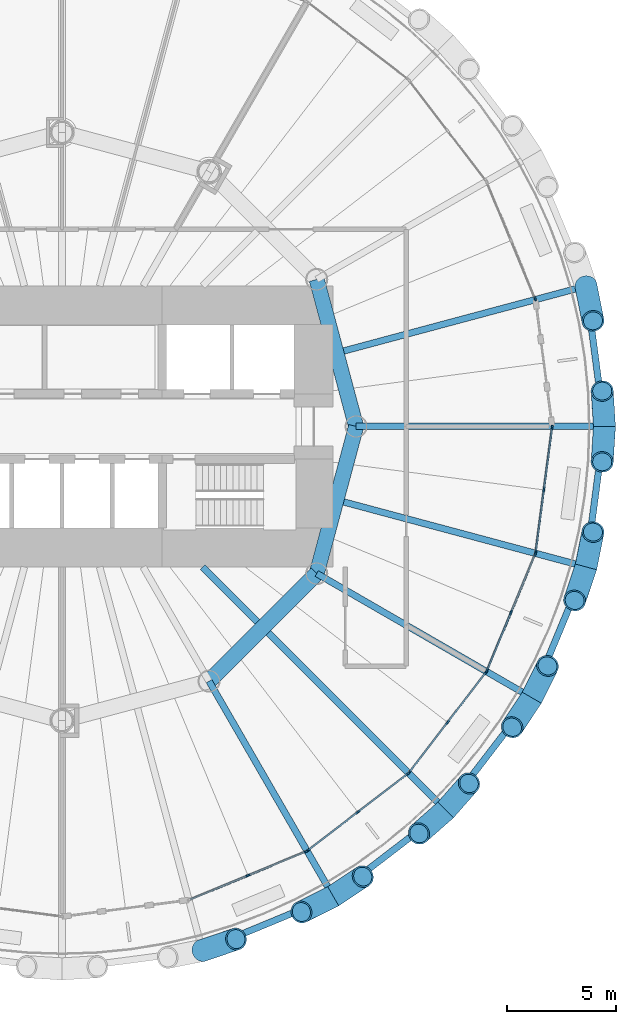
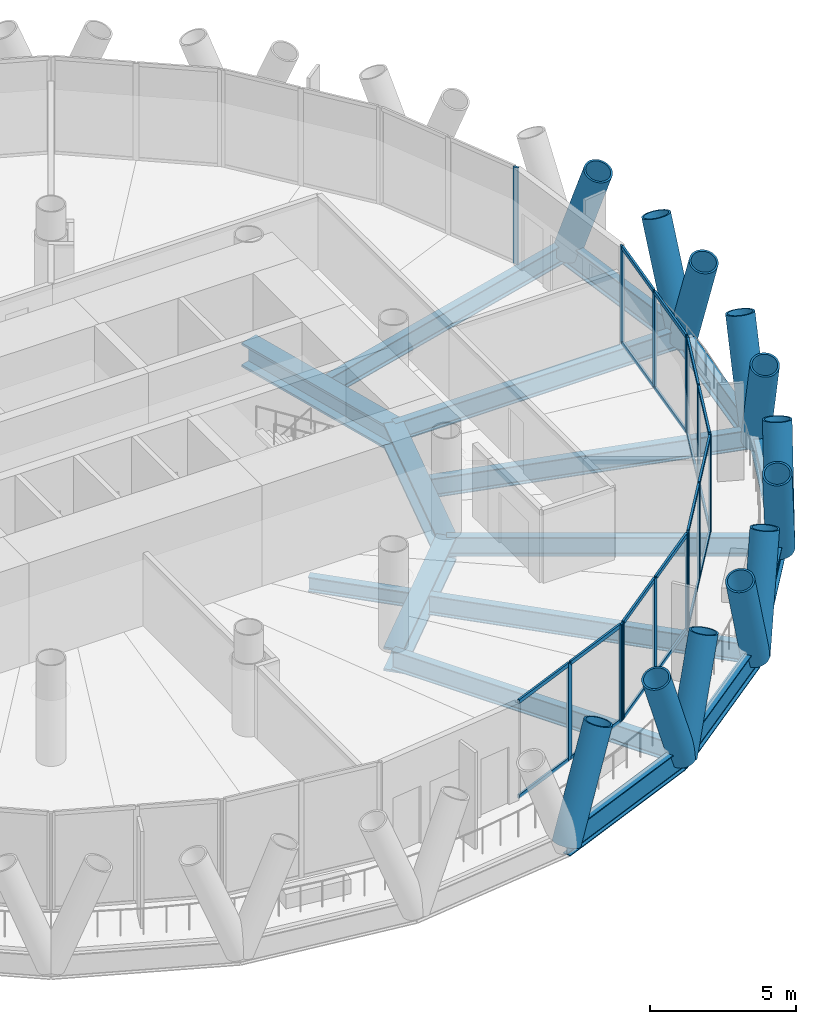
# One storey, part 4 of 15: 47 members, 16 beams, 6 elements without a shape of their own.
"""IFC4 building model written with IfcOpenShell, lengths in metres."""

import ifcopenshell
import ifcopenshell.guid

model = None  # the IFC model being written
_history = None  # IfcOwnerHistory: only IFC2X3 demands one
_inside = {}  # id of a spatial element -> (the spatial element, [elements in it])
_under = {}  # id of a project, library or spatial element -> (it, [spatial elements below it])
_declared = {}  # id of a project -> (the project, [libraries it declares])
_typed = {}  # id of a type object -> (the type object, [elements of that type])
_made_of = {}  # id of a material, layer set ... -> (it, [elements and type objects made of it])


def new_model(schema):
    """Start an empty IFC model of exactly this schema.

    Asked for "IFC4X3", IfcOpenShell would pick the latest addendum, in which some entities
    have other attributes; the version numbers below select the first issue.
    IFC2X3 requires an IfcOwnerHistory on every rooted entity: one is made here for all.
    """
    global model, _history
    if schema == "IFC4X3":
        model = ifcopenshell.file(schema_version=(4, 3, 0, 0))
    else:
        model = ifcopenshell.file(schema=schema)
    _inside.clear()
    _under.clear()
    _declared.clear()
    _typed.clear()
    _made_of.clear()
    _history = None
    if model.schema == "IFC2X3":
        org = make("IfcOrganization", Name="unknown")
        user = make(
            "IfcPersonAndOrganization",
            ThePerson=make("IfcPerson", FamilyName="unknown"),
            TheOrganization=org,
        )
        app = make(
            "IfcApplication",
            ApplicationDeveloper=org,
            Version="unknown",
            ApplicationFullName="unknown",
            ApplicationIdentifier="unknown",
        )
        _history = make(
            "IfcOwnerHistory",
            OwningUser=user,
            OwningApplication=app,
            ChangeAction="ADDED",
            CreationDate=0,
        )
    return model


def make(cls, **values):
    """One entity of the class cls with the attributes given. An attribute that is None is left unset."""
    return model.create_entity(
        cls, **{name: value for name, value in values.items() if value is not None}
    )


def rooted(cls, **values):
    """An entity with a GlobalId (a new one), such as an element, a storey or a relation."""
    return make(cls, GlobalId=ifcopenshell.guid.new(), OwnerHistory=_history, **values)


def si_unit(unit_type, name, prefix=None):
    """IfcSIUnit, for example si_unit("LENGTHUNIT", "METRE", prefix="MILLI")."""
    return make("IfcSIUnit", UnitType=unit_type, Prefix=prefix, Name=name)


def assignment(units):
    """IfcUnitAssignment: the units of a project."""
    return None if units is None else make("IfcUnitAssignment", Units=units)


def point(xyz):
    """IfcCartesianPoint."""
    return None if xyz is None else make("IfcCartesianPoint", Coordinates=xyz)


def direction(xyz):
    """IfcDirection."""
    return None if xyz is None else make("IfcDirection", DirectionRatios=xyz)


def frame(location, z_axis=None, x_axis=None):
    """IfcAxis2Placement3D, a coordinate frame: its origin and axes. An axis left out is left unset."""
    return make(
        "IfcAxis2Placement3D",
        Location=point(location),
        Axis=direction(z_axis),
        RefDirection=direction(x_axis),
    )


def frame_2d(location, x_axis=None):
    """IfcAxis2Placement2D, a coordinate frame in the plane: its origin and x axis."""
    return make(
        "IfcAxis2Placement2D", Location=point(location), RefDirection=direction(x_axis)
    )


def origin():
    """The frame at (0, 0, 0) with its axes left unset."""
    return frame((0.0, 0.0, 0.0))


def origin_2d():
    """The frame at (0, 0) in the plane with its x axis left unset."""
    return frame_2d((0.0, 0.0))


def place(relative_to, where):
    """IfcLocalPlacement: puts the frame where relative to a parent placement (None: the world)."""
    return make(
        "IfcLocalPlacement", PlacementRelTo=relative_to, RelativePlacement=where
    )


def context(
    kind, dimensions, precision=None, world=None, true_north=None, identifier=None
):
    """IfcGeometricRepresentationContext, for example the 3D "Model" context."""
    return make(
        "IfcGeometricRepresentationContext",
        ContextIdentifier=identifier,
        ContextType=kind,
        CoordinateSpaceDimension=dimensions,
        Precision=precision,
        WorldCoordinateSystem=world,
        TrueNorth=true_north,
    )


def subcontext(parent, identifier, kind, view, scale=None):
    """IfcGeometricRepresentationSubContext, for example "Body" below "Model"."""
    return make(
        "IfcGeometricRepresentationSubContext",
        ContextIdentifier=identifier,
        ContextType=kind,
        ParentContext=parent,
        TargetScale=scale,
        TargetView=view,
    )


def project(units=None, contexts=None):
    """IfcProject with its units and contexts."""
    return rooted(
        "IfcProject",
        Name="project",
        RepresentationContexts=contexts,
        UnitsInContext=assignment(units),
    )


def spatial(cls, under=None, at=None, **own):
    """A site, building, storey or space (cls), placed at a placement, below another one or the project."""
    s = rooted(cls, ObjectPlacement=at, **own)
    if under is not None:
        _under.setdefault(under.id(), (under, []))[1].append(s)
    return s


def profile(cls, at=None, kind="AREA", **sizes):
    """A parametric profile (cls). Its sizes go by their IFC names, for example OverallWidth=200.0."""
    return make(cls, ProfileType=kind, Position=at, **sizes)


def rectangle(**sizes):
    """IfcRectangleProfileDef."""
    return profile("IfcRectangleProfileDef", **sizes)


def hollow_circle(**sizes):
    """IfcCircleHollowProfileDef."""
    return profile("IfcCircleHollowProfileDef", **sizes)


def i_section(**sizes):
    """IfcIShapeProfileDef."""
    return profile("IfcIShapeProfileDef", **sizes)


def extrude(swept, where, along, depth):
    """IfcExtrudedAreaSolid: the profile swept, set in the frame where, extruded along a direction by depth."""
    return make(
        "IfcExtrudedAreaSolid",
        SweptArea=swept,
        Position=where,
        ExtrudedDirection=direction(along),
        Depth=depth,
    )


def shape(context_of_items, identifier, shape_type, items):
    """IfcShapeRepresentation: the items that make up one representation, for example the "Body"."""
    return make(
        "IfcShapeRepresentation",
        ContextOfItems=context_of_items,
        RepresentationIdentifier=identifier,
        RepresentationType=shape_type,
        Items=items,
    )


def material(Name=None, Category=None):
    """IfcMaterial."""
    return make("IfcMaterial", Name=Name, Category=Category)


def material_profile(
    of_material, cross_section, Name=None, Category=None, Priority=None
):
    """IfcMaterialProfile: a cross section and its material."""
    return make(
        "IfcMaterialProfile",
        Name=Name,
        Material=of_material,
        Profile=cross_section,
        Priority=Priority,
        Category=Category,
    )


def profile_set(profiles, Name=None, composite=None):
    """IfcMaterialProfileSet."""
    return make(
        "IfcMaterialProfileSet",
        Name=Name,
        MaterialProfiles=profiles,
        CompositeProfile=composite,
    )


def made_of(thing, what):
    """Note that an element or type object is made of a material, layer set ...; save() writes the relation."""
    if what is not None:
        _made_of.setdefault(what.id(), (what, []))[1].append(thing)
    return thing


def type_object(cls, material=None, **own):
    """A type object (cls), such as IfcWallType, which elements share."""
    return made_of(rooted(cls, **own), material)


def element(
    cls,
    number,
    at=None,
    inside=None,
    cuts=None,
    type_object=None,
    material=None,
    context=None,
    identifier="Body",
    shape_type=None,
    held_by="IfcProductDefinitionShape",
    body=None,
    shapes=None,
    **own,
):
    """One element of the class cls, such as IfcWall. Its Tag is "e" and its number.

    at: its placement. inside: the storey or other place that contains it. cuts: it is an
    opening in that element (IfcRelVoidsElement). A single representation is given by context,
    identifier, shape_type and body (its items); several are given by shapes. held_by: the class
    of the entity that holds the representations. save() writes the other relations.
    """
    e = rooted(cls, Tag="e%d" % number, ObjectPlacement=at, **own)
    if body is not None:
        shapes = [shape(context, identifier, shape_type, body)]
    if shapes is not None:
        e.Representation = make(held_by, Representations=shapes)
    if inside is not None:
        _inside.setdefault(inside.id(), (inside, []))[1].append(e)
    if cuts is not None:
        rooted(
            "IfcRelVoidsElement", RelatingBuildingElement=cuts, RelatedOpeningElement=e
        )
    if type_object is not None:
        _typed.setdefault(type_object.id(), (type_object, []))[1].append(e)
    return made_of(e, material)


def aggregate(whole, parts):
    """IfcRelAggregates: a whole, such as a stair, and the parts it consists of."""
    return rooted("IfcRelAggregates", RelatingObject=whole, RelatedObjects=parts)


def save(model, path):
    """Write the relations noted so far, then the file.

    IfcRelAggregates (storeys below a building ...), IfcRelContainedInSpatialStructure (elements
    in a storey), IfcRelDefinesByType, IfcRelAssociatesMaterial and IfcRelDeclares: one each for
    every whole, place, type object, material and project.
    """
    for whole, parts in _under.values():
        aggregate(whole, parts)
    for where, things in _inside.values():
        rooted(
            "IfcRelContainedInSpatialStructure",
            RelatedElements=things,
            RelatingStructure=where,
        )
    for kind, things in _typed.values():
        rooted("IfcRelDefinesByType", RelatedObjects=things, RelatingType=kind)
    for what, things in _made_of.values():
        rooted("IfcRelAssociatesMaterial", RelatedObjects=things, RelatingMaterial=what)
    for by, libraries in _declared.values():
        rooted("IfcRelDeclares", RelatingContext=by, RelatedDefinitions=libraries)
    model.write(path)


model = new_model("IFC4")

# Units and contexts
model_context = context("Model", 3, precision=1e-05, world=origin(), true_north=direction((0.0, 1.0)))
body_context = subcontext(model_context, "Body", "Model", "MODEL_VIEW")
ifc_project = project(units=[si_unit("LENGTHUNIT", "METRE"), si_unit("AREAUNIT", "SQUARE_METRE"), si_unit("VOLUMEUNIT", "CUBIC_METRE"), si_unit("PLANEANGLEUNIT", "RADIAN"), si_unit("MASSUNIT", "GRAM", prefix="KILO")], contexts=[model_context])

# Site, building, storey
site_placement = place(None, origin())
site = spatial("IfcSite", under=ifc_project, at=site_placement, CompositionType="ELEMENT")
building_placement = place(site_placement, origin())
building = spatial("IfcBuilding", under=site, at=building_placement, Name="Qaws Media Tower", CompositionType="ELEMENT")
storey_placement = place(building_placement, frame((0.0, 0.0, 143.60009765625)))
storey = spatial("IfcBuildingStorey", under=building, at=storey_placement, Name="L32", CompositionType="ELEMENT", Elevation=143.60009765625)

# Curtain wall, member
ifc_material_1 = material(Name="Aluminium and clear glass", Category="aluminium")
curtain_wall_type = type_object("IfcCurtainWallType", Name="Unitised curtain wall CW-B", PredefinedType="NOTDEFINED", material=ifc_material_1)
curtain_wall_1_placement = place(storey_placement, origin())
curtain_wall_1 = element("IfcCurtainWall", 1, at=curtain_wall_1_placement, inside=storey, type_object=curtain_wall_type, Name="CWB curtain wall L32-02", PredefinedType="NOTDEFINED")
ifc_material_2 = material(Name="Aluminium mullion", Category="aluminium")
ifc_material_profile_1 = material_profile(ifc_material_2, rectangle(XDim=0.080078125, YDim=0.199951171875, at=origin_2d()), Name="80x200")
ifc_profile_set_1 = profile_set([ifc_material_profile_1], Name="Aluminium mullion")
member_type_1 = type_object("IfcMemberType", Name="Curtain wall mullion 80x200", PredefinedType="MULLION", material=ifc_profile_set_1)
member_1_placement = place(storey_placement, frame((81.718017578125, 55.8603515625, 0.0), z_axis=(0.0, 0.0, 1.0), x_axis=(-0.923879550892, -0.38268338799, 0.0)))
member_1 = element("IfcMember", 2, at=member_1_placement, type_object=member_type_1, Name="CWB mullion 1", PredefinedType="MULLION", context=body_context, shape_type="SweptSolid", body=[
    extrude(rectangle(XDim=0.080078125, YDim=0.199951171875, at=origin_2d()), origin(), (0.0, 0.0, 1.0), 4.039794921875),
])
aggregate(curtain_wall_1, [member_1])

# Curtain wall, members
curtain_wall_2_placement = place(storey_placement, origin())
curtain_wall_2 = element("IfcCurtainWall", 3, at=curtain_wall_2_placement, inside=storey, type_object=curtain_wall_type, Name="CWB curtain wall L32-20", PredefinedType="NOTDEFINED")
member_2_placement = place(storey_placement, frame((68.53662109375, 29.390625, 0.0), z_axis=(0.0, 0.0, 1.0), x_axis=(-0.38268338799, 0.923879550892, 0.0)))
member_2 = element("IfcMember", 4, at=member_2_placement, type_object=member_type_1, Name="CWB mullion 2", PredefinedType="MULLION", context=body_context, shape_type="SweptSolid", body=[
    extrude(rectangle(XDim=0.080078125, YDim=0.199951171875, at=origin_2d()), origin(), (0.0, 0.0, 1.0), 4.039794921875),
])
member_3_placement = place(storey_placement, frame((71.213134765625, 30.4990234375, 0.0), z_axis=(0.0, 0.0, 1.0), x_axis=(-0.38268338799, 0.923879550892, 0.0)))
member_3 = element("IfcMember", 5, at=member_3_placement, type_object=member_type_1, Name="CWB mullion 3", PredefinedType="MULLION", context=body_context, shape_type="SweptSolid", body=[
    extrude(rectangle(XDim=0.080078125, YDim=0.199951171875, at=origin_2d()), origin(), (0.0, 0.0, 1.0), 4.039794921875),
])

curtain_wall_3_placement = place(storey_placement, origin())
curtain_wall_3 = element("IfcCurtainWall", 6, at=curtain_wall_3_placement, inside=storey, type_object=curtain_wall_type, Name="CWB curtain wall L32-21", PredefinedType="NOTDEFINED")
member_4_placement = place(storey_placement, frame((71.28173828125, 30.538818359375, 0.0), z_axis=(0.0, 0.0, 1.0), x_axis=(-0.608761393298, 0.793353367693, 0.0)))
member_4 = element("IfcMember", 7, at=member_4_placement, type_object=member_type_1, Name="CWB mullion 1", PredefinedType="MULLION", context=body_context, shape_type="SweptSolid", body=[
    extrude(rectangle(XDim=0.080078125, YDim=0.199951171875, at=origin_2d()), origin(), (0.0, 0.0, 1.0), 4.039794921875),
])
member_5_placement = place(storey_placement, frame((73.579833984375, 32.30224609375, 0.0), z_axis=(0.0, 0.0, 1.0), x_axis=(-0.608761393298, 0.793353367693, 0.0)))
member_5 = element("IfcMember", 8, at=member_5_placement, type_object=member_type_1, Name="CWB mullion 2", PredefinedType="MULLION", context=body_context, shape_type="SweptSolid", body=[
    extrude(rectangle(XDim=0.080078125, YDim=0.199951171875, at=origin_2d()), origin(), (0.0, 0.0, 1.0), 4.039794921875),
])
member_6_placement = place(storey_placement, frame((75.878173828125, 34.065673828125, 0.0), z_axis=(0.0, 0.0, 1.0), x_axis=(-0.608761393298, 0.793353367693, 0.0)))
member_6 = element("IfcMember", 9, at=member_6_placement, type_object=member_type_1, Name="CWB mullion 3", PredefinedType="MULLION", context=body_context, shape_type="SweptSolid", body=[
    extrude(rectangle(XDim=0.080078125, YDim=0.199951171875, at=origin_2d()), origin(), (0.0, 0.0, 1.0), 4.039794921875),
])

curtain_wall_4_placement = place(storey_placement, origin())
curtain_wall_4 = element("IfcCurtainWall", 10, at=curtain_wall_4_placement, inside=storey, type_object=curtain_wall_type, Name="CWB curtain wall L32-22", PredefinedType="NOTDEFINED")
member_7_placement = place(storey_placement, frame((75.934326171875, 34.121826171875, 0.0), z_axis=(0.0, 0.0, 1.0), x_axis=(-0.793353367693, 0.608761393298, 0.0)))
member_7 = element("IfcMember", 11, at=member_7_placement, type_object=member_type_1, Name="CWB mullion 1", PredefinedType="MULLION", context=body_context, shape_type="SweptSolid", body=[
    extrude(rectangle(XDim=0.080078125, YDim=0.199951171875, at=origin_2d()), origin(), (0.0, 0.0, 1.0), 4.039794921875),
])
member_8_placement = place(storey_placement, frame((77.69775390625, 36.420166015625, 0.0), z_axis=(0.0, 0.0, 1.0), x_axis=(-0.793353367693, 0.608761393298, 0.0)))
member_8 = element("IfcMember", 12, at=member_8_placement, type_object=member_type_1, Name="CWB mullion 2", PredefinedType="MULLION", context=body_context, shape_type="SweptSolid", body=[
    extrude(rectangle(XDim=0.080078125, YDim=0.199951171875, at=origin_2d()), origin(), (0.0, 0.0, 1.0), 4.039794921875),
])
member_9_placement = place(storey_placement, frame((79.461181640625, 38.71826171875, 0.0), z_axis=(0.0, 0.0, 1.0), x_axis=(-0.793353367693, 0.608761393298, 0.0)))
member_9 = element("IfcMember", 13, at=member_9_placement, type_object=member_type_1, Name="CWB mullion 3", PredefinedType="MULLION", context=body_context, shape_type="SweptSolid", body=[
    extrude(rectangle(XDim=0.080078125, YDim=0.199951171875, at=origin_2d()), origin(), (0.0, 0.0, 1.0), 4.039794921875),
])

curtain_wall_5_placement = place(storey_placement, origin())
curtain_wall_5 = element("IfcCurtainWall", 14, at=curtain_wall_5_placement, inside=storey, type_object=curtain_wall_type, Name="CWB curtain wall L32-23", PredefinedType="NOTDEFINED")
member_10_placement = place(storey_placement, frame((79.5009765625, 38.786865234375, 0.0), z_axis=(0.0, 0.0, 1.0), x_axis=(-0.923879550892, 0.38268338799, 0.0)))
member_10 = element("IfcMember", 15, at=member_10_placement, type_object=member_type_1, Name="CWB mullion 1", PredefinedType="MULLION", context=body_context, shape_type="SweptSolid", body=[
    extrude(rectangle(XDim=0.080078125, YDim=0.199951171875, at=origin_2d()), origin(), (0.0, 0.0, 1.0), 4.039794921875),
])
member_11_placement = place(storey_placement, frame((80.609375, 41.46337890625, 0.0), z_axis=(0.0, 0.0, 1.0), x_axis=(-0.923879550892, 0.38268338799, 0.0)))
member_11 = element("IfcMember", 16, at=member_11_placement, type_object=member_type_1, Name="CWB mullion 2", PredefinedType="MULLION", context=body_context, shape_type="SweptSolid", body=[
    extrude(rectangle(XDim=0.080078125, YDim=0.199951171875, at=origin_2d()), origin(), (0.0, 0.0, 1.0), 4.039794921875),
])
member_12_placement = place(storey_placement, frame((81.718017578125, 44.1396484375, 0.0), z_axis=(0.0, 0.0, 1.0), x_axis=(-0.923879550892, 0.38268338799, 0.0)))
member_12 = element("IfcMember", 17, at=member_12_placement, type_object=member_type_1, Name="CWB mullion 3", PredefinedType="MULLION", context=body_context, shape_type="SweptSolid", body=[
    extrude(rectangle(XDim=0.080078125, YDim=0.199951171875, at=origin_2d()), origin(), (0.0, 0.0, 1.0), 4.039794921875),
])

curtain_wall_6_placement = place(storey_placement, origin())
curtain_wall_6 = element("IfcCurtainWall", 18, at=curtain_wall_6_placement, inside=storey, type_object=curtain_wall_type, Name="CWB curtain wall L32-24", PredefinedType="NOTDEFINED")
member_13_placement = place(storey_placement, frame((81.738525390625, 44.21630859375, 0.0), z_axis=(0.0, 0.0, 1.0), x_axis=(-0.991444860766, 0.13052619684, 0.0)))
member_13 = element("IfcMember", 19, at=member_13_placement, type_object=member_type_1, Name="CWB mullion 1", PredefinedType="MULLION", context=body_context, shape_type="SweptSolid", body=[
    extrude(rectangle(XDim=0.080078125, YDim=0.199951171875, at=origin_2d()), origin(), (0.0, 0.0, 1.0), 4.039794921875),
])
member_14_placement = place(storey_placement, frame((82.11669921875, 47.08837890625, 0.0), z_axis=(0.0, 0.0, 1.0), x_axis=(-0.991444860766, 0.13052619684, 0.0)))
member_14 = element("IfcMember", 20, at=member_14_placement, type_object=member_type_1, Name="CWB mullion 2", PredefinedType="MULLION", context=body_context, shape_type="SweptSolid", body=[
    extrude(rectangle(XDim=0.080078125, YDim=0.199951171875, at=origin_2d()), origin(), (0.0, 0.0, 1.0), 4.039794921875),
])
member_15_placement = place(storey_placement, frame((82.494873046875, 49.96044921875, 0.0), z_axis=(0.0, 0.0, 1.0), x_axis=(-0.991444860766, 0.13052619684, 0.0)))
member_15 = element("IfcMember", 21, at=member_15_placement, type_object=member_type_1, Name="CWB mullion 3", PredefinedType="MULLION", context=body_context, shape_type="SweptSolid", body=[
    extrude(rectangle(XDim=0.080078125, YDim=0.199951171875, at=origin_2d()), origin(), (0.0, 0.0, 1.0), 4.039794921875),
])

# Member
ifc_material_3 = material(Name="Aluminium transom", Category="aluminium")
ifc_material_profile_2 = material_profile(ifc_material_3, rectangle(XDim=0.080078125, YDim=0.159912109375, at=origin_2d()), Name="80x160")
ifc_profile_set_2 = profile_set([ifc_material_profile_2], Name="Aluminium transom")
member_type_2 = type_object("IfcMemberType", Name="Curtain wall transom 80x160", PredefinedType="USERDEFINED", material=ifc_profile_set_2)
member_16_placement = place(storey_placement, frame((65.8974609375, 28.29736328125, 0.039794921875), z_axis=(0.923882669313, 0.382675859369, 0.0), x_axis=(-0.382675859369, 0.923882669313, 0.0)))
member_16 = element("IfcMember", 22, at=member_16_placement, type_object=member_type_2, Name="CWB transom 1.1", ObjectType="TRANSOM", PredefinedType="USERDEFINED", context=body_context, shape_type="SweptSolid", body=[
    extrude(rectangle(XDim=0.080078125, YDim=0.159912109375, at=origin_2d()), origin(), (0.0, 0.0, 1.0), 2.816650390625),
])

member_17_placement = place(storey_placement, frame((65.8974609375, 28.29736328125, 4.0), z_axis=(0.923882669313, 0.382675859369, 0.0), x_axis=(-0.382675859369, 0.923882669313, 0.0)))
member_17 = element("IfcMember", 23, at=member_17_placement, type_object=member_type_2, Name="CWB transom 1.2", ObjectType="TRANSOM", PredefinedType="USERDEFINED", context=body_context, shape_type="SweptSolid", body=[
    extrude(rectangle(XDim=0.080078125, YDim=0.159912109375, at=origin_2d()), origin(), (0.0, 0.0, 1.0), 2.816650390625),
])

member_18_placement = place(storey_placement, frame((68.57373046875, 29.40576171875, 0.039794921875), z_axis=(0.92385202317, 0.382749839039, 0.0), x_axis=(-0.382749839039, 0.92385202317, 0.0)))
member_18 = element("IfcMember", 24, at=member_18_placement, type_object=member_type_2, Name="CWB transom 2.1", ObjectType="TRANSOM", PredefinedType="USERDEFINED", context=body_context, shape_type="SweptSolid", body=[
    extrude(rectangle(XDim=0.080078125, YDim=0.159912109375, at=origin_2d()), origin(), (0.0, 0.0, 1.0), 2.81689453125),
])

member_19_placement = place(storey_placement, frame((68.57373046875, 29.40576171875, 4.0), z_axis=(0.92385202317, 0.382749839039, 0.0), x_axis=(-0.382749839039, 0.92385202317, 0.0)))
member_19 = element("IfcMember", 25, at=member_19_placement, type_object=member_type_2, Name="CWB transom 2.2", ObjectType="TRANSOM", PredefinedType="USERDEFINED", context=body_context, shape_type="SweptSolid", body=[
    extrude(rectangle(XDim=0.080078125, YDim=0.159912109375, at=origin_2d()), origin(), (0.0, 0.0, 1.0), 2.81689453125),
])

aggregate(curtain_wall_2, [member_2, member_3, member_16, member_17, member_18, member_19])

member_20_placement = place(storey_placement, frame((71.3134765625, 30.563232421875, 0.039794921875), z_axis=(0.793367737451, 0.608742665806, 0.0), x_axis=(-0.608742665806, 0.793367737451, 0.0)))
member_20 = element("IfcMember", 26, at=member_20_placement, type_object=member_type_2, Name="CWB transom 1.1", ObjectType="TRANSOM", PredefinedType="USERDEFINED", context=body_context, shape_type="SweptSolid", body=[
    extrude(rectangle(XDim=0.080078125, YDim=0.159912109375, at=origin_2d()), origin(), (0.0, 0.0, 1.0), 2.816650390625),
])

member_21_placement = place(storey_placement, frame((71.3134765625, 30.563232421875, 4.0), z_axis=(0.793367737451, 0.608742665806, 0.0), x_axis=(-0.608742665806, 0.793367737451, 0.0)))
member_21 = element("IfcMember", 27, at=member_21_placement, type_object=member_type_2, Name="CWB transom 1.2", ObjectType="TRANSOM", PredefinedType="USERDEFINED", context=body_context, shape_type="SweptSolid", body=[
    extrude(rectangle(XDim=0.080078125, YDim=0.159912109375, at=origin_2d()), origin(), (0.0, 0.0, 1.0), 2.816650390625),
])

member_22_placement = place(storey_placement, frame((73.611572265625, 32.32666015625, 0.039794921875), z_axis=(0.793357996817, 0.608755360459, 0.0), x_axis=(-0.608755360459, 0.793357996817, 0.0)))
member_22 = element("IfcMember", 28, at=member_22_placement, type_object=member_type_2, Name="CWB transom 2.1", ObjectType="TRANSOM", PredefinedType="USERDEFINED", context=body_context, shape_type="SweptSolid", body=[
    extrude(rectangle(XDim=0.080078125, YDim=0.159912109375, at=origin_2d()), origin(), (0.0, 0.0, 1.0), 2.81689453125),
])

member_23_placement = place(storey_placement, frame((73.611572265625, 32.32666015625, 4.0), z_axis=(0.793357996817, 0.608755360459, 0.0), x_axis=(-0.608755360459, 0.793357996817, 0.0)))
member_23 = element("IfcMember", 29, at=member_23_placement, type_object=member_type_2, Name="CWB transom 2.2", ObjectType="TRANSOM", PredefinedType="USERDEFINED", context=body_context, shape_type="SweptSolid", body=[
    extrude(rectangle(XDim=0.080078125, YDim=0.159912109375, at=origin_2d()), origin(), (0.0, 0.0, 1.0), 2.81689453125),
])

aggregate(curtain_wall_3, [member_4, member_5, member_6, member_20, member_21, member_22, member_23])

member_24_placement = place(storey_placement, frame((75.95849609375, 34.153564453125, 0.039794921875), z_axis=(0.608755360459, 0.793357996817, 0.0), x_axis=(-0.793357996817, 0.608755360459, 0.0)))
member_24 = element("IfcMember", 30, at=member_24_placement, type_object=member_type_2, Name="CWB transom 1.1", ObjectType="TRANSOM", PredefinedType="USERDEFINED", context=body_context, shape_type="SweptSolid", body=[
    extrude(rectangle(XDim=0.080078125, YDim=0.159912109375, at=origin_2d()), origin(), (0.0, 0.0, 1.0), 2.81689453125),
])

member_25_placement = place(storey_placement, frame((75.95849609375, 34.153564453125, 4.0), z_axis=(0.608755360459, 0.793357996817, 0.0), x_axis=(-0.793357996817, 0.608755360459, 0.0)))
member_25 = element("IfcMember", 31, at=member_25_placement, type_object=member_type_2, Name="CWB transom 1.2", ObjectType="TRANSOM", PredefinedType="USERDEFINED", context=body_context, shape_type="SweptSolid", body=[
    extrude(rectangle(XDim=0.080078125, YDim=0.159912109375, at=origin_2d()), origin(), (0.0, 0.0, 1.0), 2.81689453125),
])

member_26_placement = place(storey_placement, frame((77.72216796875, 36.451904296875, 0.039794921875), z_axis=(0.608742665806, 0.793367737451, 0.0), x_axis=(-0.793367737451, 0.608742665806, 0.0)))
member_26 = element("IfcMember", 32, at=member_26_placement, type_object=member_type_2, Name="CWB transom 2.1", ObjectType="TRANSOM", PredefinedType="USERDEFINED", context=body_context, shape_type="SweptSolid", body=[
    extrude(rectangle(XDim=0.080078125, YDim=0.159912109375, at=origin_2d()), origin(), (0.0, 0.0, 1.0), 2.816650390625),
])

member_27_placement = place(storey_placement, frame((77.72216796875, 36.451904296875, 4.0), z_axis=(0.608742665806, 0.793367737451, 0.0), x_axis=(-0.793367737451, 0.608742665806, 0.0)))
member_27 = element("IfcMember", 33, at=member_27_placement, type_object=member_type_2, Name="CWB transom 2.2", ObjectType="TRANSOM", PredefinedType="USERDEFINED", context=body_context, shape_type="SweptSolid", body=[
    extrude(rectangle(XDim=0.080078125, YDim=0.159912109375, at=origin_2d()), origin(), (0.0, 0.0, 1.0), 2.816650390625),
])

aggregate(curtain_wall_4, [member_7, member_8, member_9, member_24, member_25, member_26, member_27])

member_28_placement = place(storey_placement, frame((79.51611328125, 38.823974609375, 0.039794921875), z_axis=(0.382749839039, 0.92385202317, 0.0), x_axis=(-0.92385202317, 0.382749839039, 0.0)))
member_28 = element("IfcMember", 34, at=member_28_placement, type_object=member_type_2, Name="CWB transom 1.1", ObjectType="TRANSOM", PredefinedType="USERDEFINED", context=body_context, shape_type="SweptSolid", body=[
    extrude(rectangle(XDim=0.080078125, YDim=0.159912109375, at=origin_2d()), origin(), (0.0, 0.0, 1.0), 2.81689453125),
])

member_29_placement = place(storey_placement, frame((79.51611328125, 38.823974609375, 4.0), z_axis=(0.382749839039, 0.92385202317, 0.0), x_axis=(-0.92385202317, 0.382749839039, 0.0)))
member_29 = element("IfcMember", 35, at=member_29_placement, type_object=member_type_2, Name="CWB transom 1.2", ObjectType="TRANSOM", PredefinedType="USERDEFINED", context=body_context, shape_type="SweptSolid", body=[
    extrude(rectangle(XDim=0.080078125, YDim=0.159912109375, at=origin_2d()), origin(), (0.0, 0.0, 1.0), 2.81689453125),
])

member_30_placement = place(storey_placement, frame((80.624755859375, 41.500244140625, 0.039794921875), z_axis=(0.382675859369, 0.923882669313, 0.0), x_axis=(-0.923882669313, 0.382675859369, 0.0)))
member_30 = element("IfcMember", 36, at=member_30_placement, type_object=member_type_2, Name="CWB transom 2.1", ObjectType="TRANSOM", PredefinedType="USERDEFINED", context=body_context, shape_type="SweptSolid", body=[
    extrude(rectangle(XDim=0.080078125, YDim=0.159912109375, at=origin_2d()), origin(), (0.0, 0.0, 1.0), 2.816650390625),
])

member_31_placement = place(storey_placement, frame((80.624755859375, 41.500244140625, 4.0), z_axis=(0.382675859369, 0.923882669313, 0.0), x_axis=(-0.923882669313, 0.382675859369, 0.0)))
member_31 = element("IfcMember", 37, at=member_31_placement, type_object=member_type_2, Name="CWB transom 2.2", ObjectType="TRANSOM", PredefinedType="USERDEFINED", context=body_context, shape_type="SweptSolid", body=[
    extrude(rectangle(XDim=0.080078125, YDim=0.159912109375, at=origin_2d()), origin(), (0.0, 0.0, 1.0), 2.816650390625),
])

aggregate(curtain_wall_5, [member_10, member_11, member_12, member_28, member_29, member_30, member_31])

member_32_placement = place(storey_placement, frame((81.74365234375, 44.255859375, 0.039794921875), z_axis=(0.130528499327, 0.991444557635, 0.0), x_axis=(-0.991444557635, 0.130528499327, 0.0)))
member_32 = element("IfcMember", 38, at=member_32_placement, type_object=member_type_2, Name="CWB transom 1.1", ObjectType="TRANSOM", PredefinedType="USERDEFINED", context=body_context, shape_type="SweptSolid", body=[
    extrude(rectangle(XDim=0.080078125, YDim=0.159912109375, at=origin_2d()), origin(), (0.0, 0.0, 1.0), 2.81689453125),
])

member_33_placement = place(storey_placement, frame((81.74365234375, 44.255859375, 4.0), z_axis=(0.130528499327, 0.991444557635, 0.0), x_axis=(-0.991444557635, 0.130528499327, 0.0)))
member_33 = element("IfcMember", 39, at=member_33_placement, type_object=member_type_2, Name="CWB transom 1.2", ObjectType="TRANSOM", PredefinedType="USERDEFINED", context=body_context, shape_type="SweptSolid", body=[
    extrude(rectangle(XDim=0.080078125, YDim=0.159912109375, at=origin_2d()), origin(), (0.0, 0.0, 1.0), 2.81689453125),
])

member_34_placement = place(storey_placement, frame((82.121826171875, 47.1279296875, 0.039794921875), z_axis=(0.130528499327, 0.991444557635, 0.0), x_axis=(-0.991444557635, 0.130528499327, 0.0)))
member_34 = element("IfcMember", 40, at=member_34_placement, type_object=member_type_2, Name="CWB transom 2.1", ObjectType="TRANSOM", PredefinedType="USERDEFINED", context=body_context, shape_type="SweptSolid", body=[
    extrude(rectangle(XDim=0.080078125, YDim=0.159912109375, at=origin_2d()), origin(), (0.0, 0.0, 1.0), 2.81689453125),
])

member_35_placement = place(storey_placement, frame((82.121826171875, 47.1279296875, 4.0), z_axis=(0.130528499327, 0.991444557635, 0.0), x_axis=(-0.991444557635, 0.130528499327, 0.0)))
member_35 = element("IfcMember", 41, at=member_35_placement, type_object=member_type_2, Name="CWB transom 2.2", ObjectType="TRANSOM", PredefinedType="USERDEFINED", context=body_context, shape_type="SweptSolid", body=[
    extrude(rectangle(XDim=0.080078125, YDim=0.159912109375, at=origin_2d()), origin(), (0.0, 0.0, 1.0), 2.81689453125),
])

aggregate(curtain_wall_6, [member_13, member_14, member_15, member_32, member_33, member_34, member_35])

# Members
ifc_material_4 = material(Name="Steel S460", Category="steel")
ifc_material_profile_3 = material_profile(ifc_material_4, hollow_circle(Radius=0.508056640625, WallThickness=0.070068359375, at=origin_2d()), Name="CHS 1016x70")
ifc_profile_set_3 = profile_set([ifc_material_profile_3], Name="Steel S460")
member_type_3 = type_object("IfcMemberType", Name="Diagrid member CHS 1016x70", PredefinedType="USERDEFINED", material=ifc_profile_set_3)
for number, where, z_axis, x_axis, name in (
    (42, (84.89990234375, 50.0, -0.6640625), (-0.022871471685, 0.360794755945, 0.932364756876), (-0.997996767875, -0.063264929554, 0.0), "DG3 diagrid L32 A01"),
    (43, (84.89990234375, 50.0, -0.6640625), (-0.022871471685, -0.360794755945, 0.932364756876), (0.997996767875, -0.063264929554, 0.0), "DG3 diagrid L32 B01"),
    (44, (84.051513671875, 56.444580078125, -0.6640625), (0.071269364926, -0.354449921381, 0.932355045493), (0.980378361472, 0.197125006932, 0.0), "DG3 diagrid L32 B02"),
    (45, (66.444580078125, 25.948486328125, -0.6640625), (0.342583052797, 0.115495093421, 0.932361375933), (-0.319464039, 0.947598400055, 0.0), "DG3 diagrid L32 A20"),
    (46, (72.449951171875, 28.43603515625, -0.6640625), (0.301015104444, 0.200207021213, 0.932366374101), (-0.55380035877, 0.832649483652, 0.0), "DG3 diagrid L32 A21"),
    (47, (72.449951171875, 28.43603515625, -0.6640625), (-0.323886904548, -0.160588503711, 0.93236720531), (0.444212684462, -0.895921364274, 0.0), "DG3 diagrid L32 B21"),
    (48, (77.60693359375, 32.39306640625, -0.6640625), (0.238905037689, 0.271315476105, 0.932369184065), (-0.750511242049, 0.660857681772, 0.0), "DG3 diagrid L32 A22"),
    (49, (77.60693359375, 32.39306640625, -0.6640625), (-0.271315476105, -0.238905037689, 0.932369184065), (0.660857681772, -0.750511242049, 0.0), "DG3 diagrid L32 B22"),
    (50, (81.56396484375, 37.550048828125, -0.6640625), (0.160588503711, 0.323886904548, 0.93236720531), (-0.895921364274, 0.444212684462, 0.0), "DG3 diagrid L32 A23"),
    (51, (81.56396484375, 37.550048828125, -0.6640625), (-0.200207021213, -0.301015104444, 0.932366374101), (0.832649483652, -0.55380035877, 0.0), "DG3 diagrid L32 B23"),
    (52, (84.051513671875, 43.555419921875, -0.6640625), (0.071269364926, 0.354449921381, 0.932355045493), (-0.980378361472, 0.197125006932, 0.0), "DG3 diagrid L32 A24"),
    (53, (84.051513671875, 43.555419921875, -0.6640625), (-0.115495093421, -0.342583052797, 0.932361375933), (0.947598400055, -0.319464039, 0.0), "DG3 diagrid L32 B24"),
):
    element("IfcMember", number, at=place(storey_placement, frame(where, z_axis=z_axis, x_axis=x_axis)), inside=storey, type_object=member_type_3, Name=name, ObjectType="DIAGRID", PredefinedType="USERDEFINED", context=body_context, shape_type="SweptSolid", body=[
        extrude(hollow_circle(Radius=0.508056640625, WallThickness=0.070068359375, at=origin_2d()), origin(), (0.0, 0.0, 1.0), 4.504638671875),
    ])

# Beams
ifc_material_5 = material(Name="Steel S460", Category="steel")
ifc_material_profile_4 = material_profile(ifc_material_5, i_section(OverallWidth=0.302001953125, OverallDepth=1.008056640625, WebThickness=0.02099609375, FlangeThickness=0.0400390625, FilletRadius=0.030029296875, at=origin_2d()), Name="HE 1000 M")
ifc_profile_set_4 = profile_set([ifc_material_profile_4], Name="Steel S460")
beam_type_1 = type_object("IfcBeamType", Name="Edge ring beam HE 1000 M", PredefinedType="BEAM", material=ifc_profile_set_4)
for number, where, z_axis, x_axis, name in (
    (54, (84.89990234375, 50.0, -0.6640625), (-0.130517664675, 0.991445984009, 0.0), (-0.991445984009, -0.130517664675, 0.0), "RB3 edge ring beam L32-01"),
    (55, (66.444580078125, 25.948486328125, -0.6640625), (0.9238772114, 0.382689035976, 0.0), (-0.382689035976, 0.9238772114, 0.0), "RB3 edge ring beam L32-20"),
    (56, (72.449951171875, 28.43603515625, -0.6640625), (0.793357838289, 0.608755567059, 0.0), (-0.608755567059, 0.793357838289, 0.0), "RB3 edge ring beam L32-21"),
    (57, (77.60693359375, 32.39306640625, -0.6640625), (0.608755567059, 0.793357838289, 0.0), (-0.793357838289, 0.608755567059, 0.0), "RB3 edge ring beam L32-22"),
    (58, (81.56396484375, 37.550048828125, -0.6640625), (0.382689035976, 0.9238772114, 0.0), (-0.9238772114, 0.382689035976, 0.0), "RB3 edge ring beam L32-23"),
    (59, (84.051513671875, 43.555419921875, -0.6640625), (0.130517664675, 0.991445984009, 0.0), (-0.991445984009, 0.130517664675, 0.0), "RB3 edge ring beam L32-24"),
):
    element("IfcBeam", number, at=place(storey_placement, frame(where, z_axis=z_axis, x_axis=x_axis)), inside=storey, type_object=beam_type_1, Name=name, PredefinedType="BEAM", context=body_context, shape_type="SweptSolid", body=[
        extrude(i_section(OverallWidth=0.302001953125, OverallDepth=1.008056640625, WebThickness=0.02099609375, FlangeThickness=0.0400390625, FilletRadius=0.030029296875, at=origin_2d()), origin(), (0.0, 0.0, 1.0), 6.500244140625),
    ])
ifc_material_6 = material(Name="Steel S460", Category="steel")
ifc_material_profile_5 = material_profile(ifc_material_6, i_section(OverallWidth=0.699951171875, OverallDepth=1.0, WebThickness=0.034912109375, FlangeThickness=0.090087890625, at=origin_2d()), Name="PG 1000x700")
ifc_profile_set_5 = profile_set([ifc_material_profile_5], Name="Steel S460")
beam_type_2 = type_object("IfcBeamType", Name="Inner ring girder PG 1000x700", PredefinedType="BEAM", material=ifc_profile_set_5)
beam_1_placement = place(storey_placement, frame((73.5, 50.0, -0.66015625), z_axis=(-0.258810593767, 0.965928090778, 0.0), x_axis=(-0.965928090778, -0.258810593767, 0.0)))
element("IfcBeam", 60, at=beam_1_placement, inside=storey, type_object=beam_type_2, Name="B3 inner ring beam L32 I01-I02", PredefinedType="BEAM", context=body_context, shape_type="SweptSolid", body=[
    extrude(i_section(OverallWidth=0.699951171875, OverallDepth=1.0, WebThickness=0.034912109375, FlangeThickness=0.090087890625, at=origin_2d()), origin(), (0.0, 0.0, 1.0), 6.988037109375),
])
beam_2_placement = place(storey_placement, frame((66.75, 38.30859375, -0.66015625), z_axis=(0.707106781187, 0.707106781187, 0.0), x_axis=(-0.707106781187, 0.707106781187, 0.0)))
element("IfcBeam", 61, at=beam_2_placement, inside=storey, type_object=beam_type_2, Name="B3 inner ring beam L32 I11-I12", PredefinedType="BEAM", context=body_context, shape_type="SweptSolid", body=[
    extrude(i_section(OverallWidth=0.699951171875, OverallDepth=1.0, WebThickness=0.034912109375, FlangeThickness=0.090087890625, at=origin_2d()), origin(), (0.0, 0.0, 1.0), 6.98828125),
])
beam_3_placement = place(storey_placement, frame((71.69140625, 43.25, -0.66015625), z_axis=(0.258810593767, 0.965928090778, 0.0), x_axis=(-0.965928090778, 0.258810593767, 0.0)))
element("IfcBeam", 62, at=beam_3_placement, inside=storey, type_object=beam_type_2, Name="B3 inner ring beam L32 I12-I01", PredefinedType="BEAM", context=body_context, shape_type="SweptSolid", body=[
    extrude(i_section(OverallWidth=0.699951171875, OverallDepth=1.0, WebThickness=0.034912109375, FlangeThickness=0.090087890625, at=origin_2d()), origin(), (0.0, 0.0, 1.0), 6.988037109375),
])
ifc_material_7 = material(Name="Steel S355", Category="steel")
ifc_material_profile_6 = material_profile(ifc_material_7, i_section(OverallWidth=0.304931640625, OverallDepth=0.6201171875, WebThickness=0.02099609375, FlangeThickness=0.0400390625, FilletRadius=0.027099609375, at=origin_2d()), Name="HE 600 M")
ifc_profile_set_6 = profile_set([ifc_material_profile_6], Name="Steel S355")
beam_type_3 = type_object("IfcBeamType", Name="Radial beam HE 600 M, core side", PredefinedType="BEAM", material=ifc_profile_set_6)
beam_4_placement = place(storey_placement, frame((66.449951171875, 43.550048828125, -0.47021484375), z_axis=(0.707106781187, -0.707106781187, 0.0), x_axis=(0.707106781187, 0.707106781187, 0.0)))
element("IfcBeam", 63, at=beam_4_placement, inside=storey, type_object=beam_type_3, Name="B2 radial beam L32 22", PredefinedType="BEAM", context=body_context, shape_type="SweptSolid", body=[
    extrude(i_section(OverallWidth=0.304931640625, OverallDepth=0.6201171875, WebThickness=0.02099609375, FlangeThickness=0.0400390625, FilletRadius=0.027099609375, at=origin_2d()), origin(), (0.0, 0.0, 1.0), 3.568359375),
])
ifc_material_8 = material(Name="Steel S355", Category="steel")
ifc_material_profile_7 = material_profile(ifc_material_8, i_section(OverallWidth=0.300048828125, OverallDepth=0.800048828125, WebThickness=0.017578125, FlangeThickness=0.032958984375, FilletRadius=0.030029296875, at=origin_2d()), Name="HE 800 B")
ifc_profile_set_7 = profile_set([ifc_material_profile_7], Name="Steel S355")
beam_type_4 = type_object("IfcBeamType", Name="Radial beam HE 800 B", PredefinedType="BEAM", material=ifc_profile_set_7)
beam_5_placement = place(storey_placement, frame((73.5, 50.0, -0.56005859375), z_axis=(1.0, 0.0, 0.0), x_axis=(0.0, 1.0, 0.0)))
element("IfcBeam", 64, at=beam_5_placement, inside=storey, type_object=beam_type_4, Name="B1 radial beam L32 01", PredefinedType="BEAM", context=body_context, shape_type="SweptSolid", body=[
    extrude(i_section(OverallWidth=0.300048828125, OverallDepth=0.800048828125, WebThickness=0.017578125, FlangeThickness=0.032958984375, FilletRadius=0.030029296875, at=origin_2d()), origin(), (0.0, 0.0, 1.0), 11.39990234375),
])
beam_6_placement = place(storey_placement, frame((72.933837890625, 53.465576171875, -0.56005859375), z_axis=(0.965925138638, 0.258821611438, 0.0), x_axis=(-0.258821611438, 0.965925138638, 0.0)))
element("IfcBeam", 65, at=beam_6_placement, inside=storey, type_object=beam_type_4, Name="B1 radial beam L32 02", PredefinedType="BEAM", context=body_context, shape_type="SweptSolid", body=[
    extrude(i_section(OverallWidth=0.300048828125, OverallDepth=0.800048828125, WebThickness=0.017578125, FlangeThickness=0.032958984375, FilletRadius=0.030029296875, at=origin_2d()), origin(), (0.0, 0.0, 1.0), 11.509765625),
])
beam_7_placement = place(storey_placement, frame((66.75, 38.30859375, -0.56005859375), z_axis=(0.500001763848, -0.866024385424, 0.0), x_axis=(0.866024385424, 0.500001763848, 0.0)))
element("IfcBeam", 66, at=beam_7_placement, inside=storey, type_object=beam_type_4, Name="B1 radial beam L32 21", PredefinedType="BEAM", context=body_context, shape_type="SweptSolid", body=[
    extrude(i_section(OverallWidth=0.300048828125, OverallDepth=0.800048828125, WebThickness=0.017578125, FlangeThickness=0.032958984375, FilletRadius=0.030029296875, at=origin_2d()), origin(), (0.0, 0.0, 1.0), 11.39990234375),
])
beam_8_placement = place(storey_placement, frame((69.46826171875, 40.53173828125, -0.56005859375), z_axis=(0.707106781187, -0.707106781187, 0.0), x_axis=(0.707106781187, 0.707106781187, 0.0)))
element("IfcBeam", 67, at=beam_8_placement, inside=storey, type_object=beam_type_4, Name="B1 radial beam L32 22", PredefinedType="BEAM", context=body_context, shape_type="SweptSolid", body=[
    extrude(i_section(OverallWidth=0.300048828125, OverallDepth=0.800048828125, WebThickness=0.017578125, FlangeThickness=0.032958984375, FilletRadius=0.030029296875, at=origin_2d()), origin(), (0.0, 0.0, 1.0), 11.509765625),
])
beam_9_placement = place(storey_placement, frame((71.69140625, 43.25, -0.56005859375), z_axis=(0.866024385424, -0.500001763848, 0.0), x_axis=(0.500001763848, 0.866024385424, 0.0)))
element("IfcBeam", 68, at=beam_9_placement, inside=storey, type_object=beam_type_4, Name="B1 radial beam L32 23", PredefinedType="BEAM", context=body_context, shape_type="SweptSolid", body=[
    extrude(i_section(OverallWidth=0.300048828125, OverallDepth=0.800048828125, WebThickness=0.017578125, FlangeThickness=0.032958984375, FilletRadius=0.030029296875, at=origin_2d()), origin(), (0.0, 0.0, 1.0), 11.39990234375),
])
beam_10_placement = place(storey_placement, frame((72.933837890625, 46.534423828125, -0.56005859375), z_axis=(0.965925138638, -0.258821611438, 0.0), x_axis=(0.258821611438, 0.965925138638, 0.0)))
element("IfcBeam", 69, at=beam_10_placement, inside=storey, type_object=beam_type_4, Name="B1 radial beam L32 24", PredefinedType="BEAM", context=body_context, shape_type="SweptSolid", body=[
    extrude(i_section(OverallWidth=0.300048828125, OverallDepth=0.800048828125, WebThickness=0.017578125, FlangeThickness=0.032958984375, FilletRadius=0.030029296875, at=origin_2d()), origin(), (0.0, 0.0, 1.0), 11.509765625),
])

save(model, "model.ifc")
